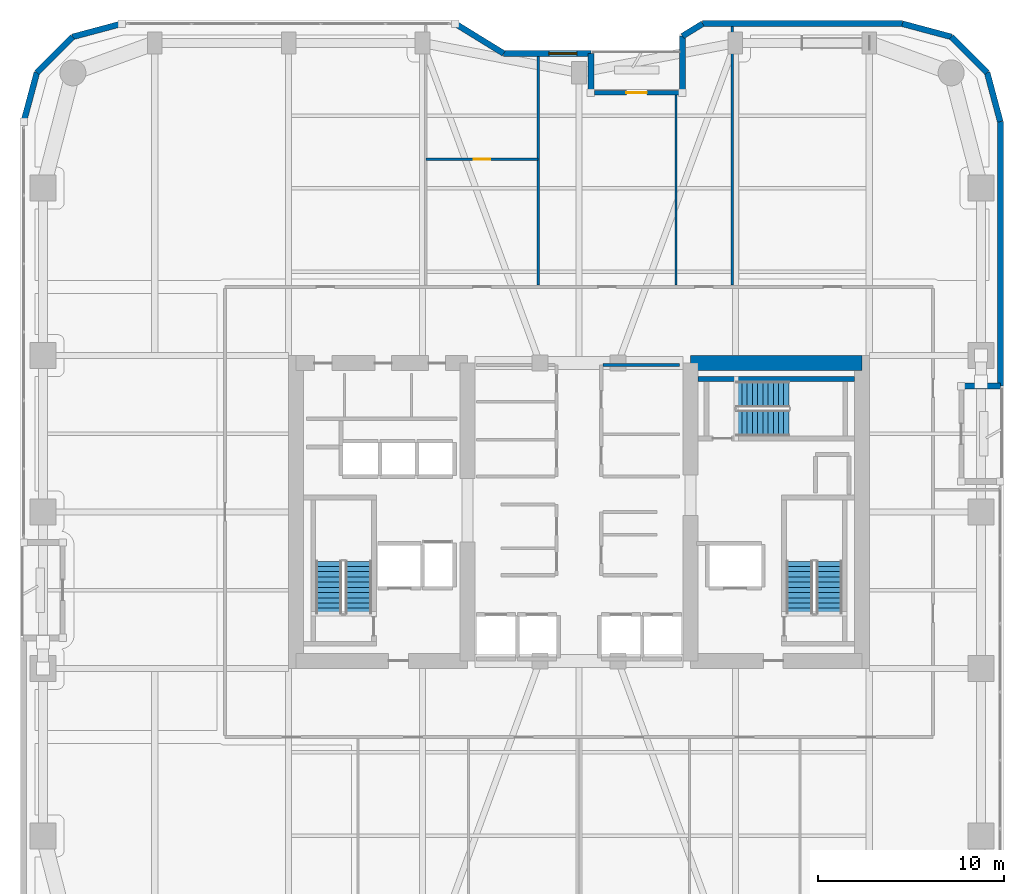
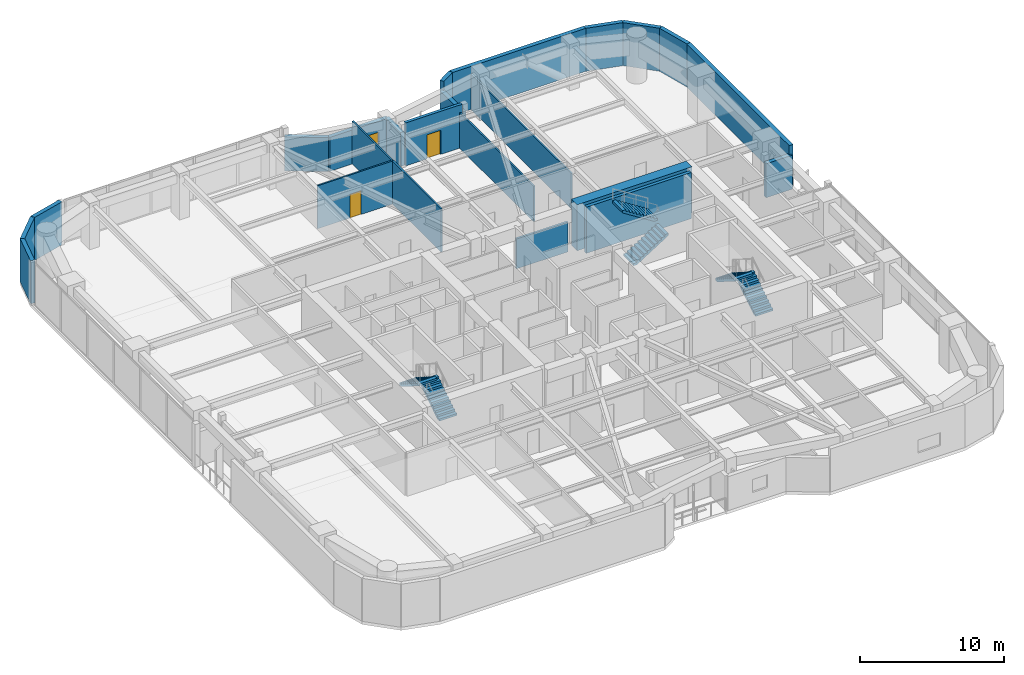
# One storey, part 21 of 24: 22 walls, 6 stair flights, 2 doors, 1 window, 3 openings, 3 elements without a shape of their own.
"""IFC4 building model written with IfcOpenShell, lengths in metres."""

from ifc_helpers import new_model, si_unit, direction, frame, frame_2d, origin, place, context, subcontext, project, spatial, polyline, rectangle, outline, extrude, material, layer, layer_set, type_object, element, fill, aggregate, save


model = new_model("IFC4")

# Units and contexts
model_context = context("Model", 3, precision=1e-05, world=origin(), true_north=direction((0.0, 1.0)))
body_context = subcontext(model_context, "Body", "Model", "MODEL_VIEW")
ifc_project = project(units=[si_unit("LENGTHUNIT", "METRE"), si_unit("AREAUNIT", "SQUARE_METRE"), si_unit("VOLUMEUNIT", "CUBIC_METRE"), si_unit("PLANEANGLEUNIT", "RADIAN"), si_unit("MASSUNIT", "GRAM", prefix="KILO")], contexts=[model_context])

# Site, building, storey
site_placement = place(None, origin())
site = spatial("IfcSite", under=ifc_project, at=site_placement, CompositionType="ELEMENT")
building_placement = place(site_placement, origin())
building = spatial("IfcBuilding", under=site, at=building_placement, Name="Kiyonajd Concourse Tower", CompositionType="ELEMENT")
storey_placement = place(building_placement, frame((0.0, 0.0, 105.300048828125)))
storey = spatial("IfcBuildingStorey", under=building, at=storey_placement, Name="L27", CompositionType="ELEMENT", Elevation=105.300048828125)

# Walls
ifc_material_1 = material(Name="Concrete C70/85", Category="concrete")
ifc_layer_1 = layer(ifc_material_1, 0.800048828125)
ifc_layer_set_1 = layer_set([ifc_layer_1], Name="Concrete C70/85")
wall_type_1 = type_object("IfcWallType", Name="WL-CORE-800", PredefinedType="SHEAR", material=ifc_layer_set_1)
wall_1_placement = place(storey_placement, frame((54.0, 44.0, 0.0), z_axis=(0.0, 0.0, 1.0), x_axis=(1.0, 0.0, 0.0)))
element("IfcWall", 1, at=wall_1_placement, inside=storey, type_object=wall_type_1, Name="L27 East Core North Shear Wall", PredefinedType="SHEAR", context=body_context, shape_type="SweptSolid", body=[
    extrude(rectangle(XDim=9.199951171875, YDim=0.800048828125, at=frame_2d((4.60009765625, 0.0))), origin(), (0.0, 0.0, 1.0), 3.89990234375),
])
ifc_material_2 = material(Name="Precast concrete C50/60", Category="concrete")
ifc_layer_2 = layer(ifc_material_2, 0.320068359375)
ifc_layer_set_2 = layer_set([ifc_layer_2], Name="Precast concrete C50/60")
wall_type_2 = type_object("IfcWallType", Name="WL-EXT-320", PredefinedType="SOLIDWALL", material=ifc_layer_set_2)
wall_2_placement = place(storey_placement, frame((18.159912109375, 56.97900390625, 0.0), z_axis=(0.0, 0.0, 1.0), x_axis=(0.25869736047, 0.965958423373, 0.0)))
element("IfcWall", 2, at=wall_2_placement, inside=storey, type_object=wall_type_2, Name="L27 Exterior Concrete Frame Wall 06", PredefinedType="SOLIDWALL", context=body_context, shape_type="SweptSolid", body=[
    extrude(rectangle(XDim=2.731201171875, YDim=0.320068359375, at=frame_2d((1.36572265625, 0.0))), origin(), (0.0, 0.0, 1.0), 3.639892578125),
])
wall_3_placement = place(storey_placement, frame((18.866455078125, 59.6171875, 0.0), z_axis=(0.0, 0.0, 1.0), x_axis=(0.707106781187, 0.707106781187, 0.0)))
element("IfcWall", 3, at=wall_3_placement, inside=storey, type_object=wall_type_2, Name="L27 Exterior Concrete Frame Wall 07", PredefinedType="SOLIDWALL", context=body_context, shape_type="SweptSolid", body=[
    extrude(rectangle(XDim=2.7099609375, YDim=0.320068359375, at=frame_2d((1.35498046875, 0.0))), origin(), (0.0, 0.0, 1.0), 3.639892578125),
])
wall_4_placement = place(storey_placement, frame((20.78271484375, 61.533447265625, 0.0), z_axis=(0.0, 0.0, 1.0), x_axis=(0.965964405026, 0.25867502435, 0.0)))
element("IfcWall", 4, at=wall_4_placement, inside=storey, type_object=wall_type_2, Name="L27 Exterior Concrete Frame Wall 08", PredefinedType="SOLIDWALL", context=body_context, shape_type="SweptSolid", body=[
    extrude(rectangle(XDim=2.7314453125, YDim=0.320068359375, at=frame_2d((1.36572265625, 0.0))), origin(), (0.0, 0.0, 1.0), 3.639892578125),
])
wall_5_placement = place(storey_placement, frame((41.354736328125, 62.239990234375, 0.0), z_axis=(0.0, 0.0, 1.0), x_axis=(0.851630857047, -0.524142044989, 0.0)))
element("IfcWall", 5, at=wall_5_placement, inside=storey, type_object=wall_type_2, Name="L27 Exterior Concrete Frame Wall 10", PredefinedType="SOLIDWALL", context=body_context, shape_type="SweptSolid", body=[
    extrude(rectangle(XDim=3.052734375, YDim=0.320068359375, at=frame_2d((1.5263671875, 0.0))), origin(), (0.0, 0.0, 1.0), 2.875),
])

# Wall, opening, window
wall_6_placement = place(storey_placement, frame((43.95458984375, 60.639892578125, 0.0), z_axis=(0.0, 0.0, 1.0), x_axis=(1.0, 0.0, 0.0)))
wall_6 = element("IfcWall", 6, at=wall_6_placement, inside=storey, type_object=wall_type_2, Name="L27 Exterior Concrete Frame Wall 11", PredefinedType="SOLIDWALL", context=body_context, shape_type="SweptSolid", body=[
    extrude(rectangle(XDim=4.685302734375, YDim=0.320068359375, at=frame_2d((2.3427734375, 0.0))), origin(), (0.0, 0.0, 1.0), 2.875),
])
opening_1_placement = place(wall_6_placement, frame((2.425048828125, 0.0, 0.85009765625)))
opening_1 = element("IfcOpeningElement", 7, at=opening_1_placement, cuts=wall_6, Name="Opening WN2", PredefinedType="OPENING", context=body_context, shape_type="SweptSolid", body=[
    extrude(rectangle(XDim=1.5, YDim=1.10009765625, at=frame_2d((0.75, 0.550048828125))), frame((0.0, 0.169921875, 0.0), z_axis=(0.0, -1.0, 0.0), x_axis=(1.0, 0.0, 0.0)), (0.0, 0.0, 1.0), 0.340087890625),
])
ifc_material_3 = material(Name="Double Low-E Insulated Glass", Category="glass")
window_type = type_object("IfcWindowType", Name="WN-VIS-1500x1100", PartitioningType="SINGLE_PANEL", PredefinedType="WINDOW", material=ifc_material_3)
window_placement = place(opening_1_placement, origin())
window = element("IfcWindow", 8, at=window_placement, inside=storey, type_object=window_type, Name="L27 Modular Facade Vision Window 11", OverallHeight=1.10009765625, OverallWidth=1.5, PartitioningType="SINGLE_PANEL", PredefinedType="WINDOW", context=body_context, shape_type="SweptSolid", body=[
    extrude(rectangle(XDim=1.5, YDim=1.10009765625, at=frame_2d((0.75, 0.550048828125))), frame((0.0, 0.030029296875, 0.0), z_axis=(0.0, -1.0, 0.0), x_axis=(1.0, 0.0, 0.0)), (0.0, 0.0, 1.0), 0.06005859375),
])
fill(opening_1, window)

# Walls
wall_7_placement = place(storey_placement, frame((48.639892578125, 60.639892578125, 0.0), z_axis=(0.0, 0.0, 1.0), x_axis=(0.0, -1.0, 0.0)))
element("IfcWall", 9, at=wall_7_placement, inside=storey, type_object=wall_type_2, Name="L27 Exterior Concrete Frame Wall 12", PredefinedType="SOLIDWALL", context=body_context, shape_type="SweptSolid", body=[
    extrude(rectangle(XDim=2.099853515625, YDim=0.320068359375, at=frame_2d((1.0498046875, 0.0))), origin(), (0.0, 0.0, 1.0), 2.875),
])
wall_8_placement = place(storey_placement, frame((53.56005859375, 58.5400390625, 0.0), z_axis=(0.0, 0.0, 1.0), x_axis=(0.0, 1.0, 0.0)))
element("IfcWall", 10, at=wall_8_placement, inside=storey, type_object=wall_type_2, Name="L27 Exterior Concrete Frame Wall 14", PredefinedType="SOLIDWALL", context=body_context, shape_type="SweptSolid", body=[
    extrude(rectangle(XDim=3.032470703125, YDim=0.320068359375, at=frame_2d((1.51611328125, 0.0))), origin(), (0.0, 0.0, 1.0), 2.875),
])
wall_9_placement = place(storey_placement, frame((53.56005859375, 61.572509765625, 0.0), z_axis=(0.0, 0.0, 1.0), x_axis=(0.851776724646, 0.523904964045, 0.0)))
element("IfcWall", 11, at=wall_9_placement, inside=storey, type_object=wall_type_2, Name="L27 Exterior Concrete Frame Wall 15", PredefinedType="SOLIDWALL", context=body_context, shape_type="SweptSolid", body=[
    extrude(rectangle(XDim=1.274169921875, YDim=0.320068359375, at=frame_2d((0.63720703125, 0.0))), origin(), (0.0, 0.0, 1.0), 3.639892578125),
])
wall_10_placement = place(storey_placement, frame((54.645263671875, 62.239990234375, 0.0), z_axis=(0.0, 0.0, 1.0), x_axis=(1.0, 0.0, 0.0)))
element("IfcWall", 12, at=wall_10_placement, inside=storey, type_object=wall_type_2, Name="L27 Exterior Concrete Frame Wall 16", PredefinedType="SOLIDWALL", context=body_context, shape_type="SweptSolid", body=[
    extrude(rectangle(XDim=10.733642578125, YDim=0.320068359375, at=frame_2d((5.36669921875, 0.0))), origin(), (0.0, 0.0, 1.0), 3.639892578125),
])
wall_11_placement = place(storey_placement, frame((65.37890625, 62.239990234375, 0.0), z_axis=(0.0, 0.0, 1.0), x_axis=(0.965958423373, -0.25869736047, 0.0)))
element("IfcWall", 13, at=wall_11_placement, inside=storey, type_object=wall_type_2, Name="L27 Exterior Concrete Frame Wall 17", PredefinedType="SOLIDWALL", context=body_context, shape_type="SweptSolid", body=[
    extrude(rectangle(XDim=2.731201171875, YDim=0.320068359375, at=frame_2d((1.36572265625, 0.0))), origin(), (0.0, 0.0, 1.0), 3.639892578125),
])
wall_12_placement = place(storey_placement, frame((68.01708984375, 61.533447265625, 0.0), z_axis=(0.0, 0.0, 1.0), x_axis=(0.707151821269, -0.707061738235, 0.0)))
element("IfcWall", 14, at=wall_12_placement, inside=storey, type_object=wall_type_2, Name="L27 Exterior Concrete Frame Wall 18", PredefinedType="SOLIDWALL", context=body_context, shape_type="SweptSolid", body=[
    extrude(rectangle(XDim=2.710205078125, YDim=0.320068359375, at=frame_2d((1.35498046875, 0.0))), origin(), (0.0, 0.0, 1.0), 3.639892578125),
])
wall_13_placement = place(storey_placement, frame((69.93359375, 59.6171875, 0.0), z_axis=(0.0, 0.0, 1.0), x_axis=(0.258613949072, -0.965980758269, 0.0)))
element("IfcWall", 15, at=wall_13_placement, inside=storey, type_object=wall_type_2, Name="L27 Exterior Concrete Frame Wall 19", PredefinedType="SOLIDWALL", context=body_context, shape_type="SweptSolid", body=[
    extrude(rectangle(XDim=2.731201171875, YDim=0.320068359375, at=frame_2d((1.36572265625, 0.0))), origin(), (0.0, 0.0, 1.0), 3.639892578125),
])
wall_14_placement = place(storey_placement, frame((70.639892578125, 56.97900390625, 0.0), z_axis=(0.0, 0.0, 1.0), x_axis=(0.0, -1.0, 0.0)))
element("IfcWall", 16, at=wall_14_placement, inside=storey, type_object=wall_type_2, Name="L27 Exterior Concrete Frame Wall 20", PredefinedType="SOLIDWALL", context=body_context, shape_type="SweptSolid", body=[
    extrude(rectangle(XDim=14.218994140625, YDim=0.320068359375, at=frame_2d((7.109375, 0.0))), origin(), (0.0, 0.0, 1.0), 3.639892578125),
])
wall_15_placement = place(storey_placement, frame((70.639892578125, 42.760009765625, 0.0), z_axis=(0.0, 0.0, 1.0), x_axis=(-1.0, 0.0, 0.0)))
element("IfcWall", 17, at=wall_15_placement, inside=storey, type_object=wall_type_2, Name="L27 Exterior Concrete Frame Wall 21", PredefinedType="SOLIDWALL", context=body_context, shape_type="SweptSolid", body=[
    extrude(rectangle(XDim=2.099853515625, YDim=0.320068359375, at=frame_2d((1.0498046875, 0.0))), origin(), (0.0, 0.0, 1.0), 2.875),
])

# Wall, opening, door
ifc_layer_3 = layer(ifc_material_2, 0.239990234375)
ifc_layer_set_3 = layer_set([ifc_layer_3], Name="Precast concrete C50/60")
wall_type_3 = type_object("IfcWallType", Name="WL-LOG-240", PredefinedType="SOLIDWALL", material=ifc_layer_set_3)
wall_16_placement = place(storey_placement, frame((48.8349609375, 58.5400390625, 0.0), z_axis=(0.0, 0.0, 1.0), x_axis=(1.0, 0.0, 0.0)))
wall_16 = element("IfcWall", 18, at=wall_16_placement, inside=storey, type_object=wall_type_3, Name="L27 Recessed Loggia Thermal Wall LOG-N", PredefinedType="SOLIDWALL", context=body_context, shape_type="SweptSolid", body=[
    extrude(rectangle(XDim=4.530029296875, YDim=0.239990234375, at=frame_2d((2.26513671875, 0.0))), origin(), (0.0, 0.0, 1.0), 3.639892578125),
])
opening_2_placement = place(wall_16_placement, frame((1.715087890625, 0.0, 0.0)))
opening_2 = element("IfcOpeningElement", 19, at=opening_2_placement, cuts=wall_16, Name="Opening DL2", PredefinedType="OPENING", context=body_context, shape_type="SweptSolid", body=[
    extrude(rectangle(XDim=1.10009765625, YDim=2.0400390625, at=frame_2d((0.550048828125, 1.02001953125))), frame((0.0, 0.1298828125, 0.0), z_axis=(0.0, -1.0, 0.0), x_axis=(1.0, 0.0, 0.0)), (0.0, 0.0, 1.0), 0.260009765625),
])
ifc_material_4 = material(Name="Thermally Broken Anodised Aluminium", Category="aluminium")
door_type_1 = type_object("IfcDoorType", Name="DR-LOG-1100", OperationType="NOTDEFINED", PredefinedType="DOOR", material=ifc_material_4)
door_1_placement = place(opening_2_placement, origin())
door_1 = element("IfcDoor", 20, at=door_1_placement, inside=storey, type_object=door_type_1, Name="L27 Engawa Loggia Access Door LOG-N", OperationType="SINGLE_SWING_RIGHT", OverallHeight=2.0400390625, OverallWidth=1.10009765625, PredefinedType="DOOR", context=body_context, shape_type="SweptSolid", body=[
    extrude(rectangle(XDim=1.10009765625, YDim=2.0400390625, at=frame_2d((0.550048828125, 1.02001953125))), frame((0.0, 0.02490234375, 0.0), z_axis=(0.0, -1.0, 0.0), x_axis=(1.0, 0.0, 0.0)), (0.0, 0.0, 1.0), 0.050048828125),
])
fill(opening_2, door_1)

ifc_material_5 = material(Name="Gypsum Board on Cold-Formed Steel Stud", Category="steel")
ifc_layer_4 = layer(ifc_material_5, 0.125)
ifc_layer_set_4 = layer_set([ifc_layer_4], Name="Gypsum Board on Cold-Formed Steel Stud")
wall_type_4 = type_object("IfcWallType", Name="WL-PART-125", PredefinedType="PARTITIONING", material=ifc_layer_set_4)
wall_17_placement = place(storey_placement, frame((39.77001953125, 54.9599609375, 0.0), z_axis=(0.0, 0.0, 1.0), x_axis=(1.0, 0.0, 0.0)))
wall_17 = element("IfcWall", 21, at=wall_17_placement, inside=storey, type_object=wall_type_4, Name="L27 Interior Partition Wall", PredefinedType="PARTITIONING", context=body_context, shape_type="SweptSolid", body=[
    extrude(rectangle(XDim=6.0400390625, YDim=0.125, at=frame_2d((3.02001953125, 0.0))), origin(), (0.0, 0.0, 1.0), 3.639892578125),
])
opening_3_placement = place(wall_17_placement, frame((2.570068359375, 0.0, 0.0)))
opening_3 = element("IfcOpeningElement", 22, at=opening_3_placement, cuts=wall_17, Name="Opening DI2", PredefinedType="OPENING", context=body_context, shape_type="SweptSolid", body=[
    extrude(rectangle(XDim=0.89990234375, YDim=2.02001953125, at=frame_2d((0.449951171875, 1.010009765625))), frame((0.0, 0.072509765625, 0.0), z_axis=(0.0, -1.0, 0.0), x_axis=(1.0, 0.0, 0.0)), (0.0, 0.0, 1.0), 0.14501953125),
])
ifc_material_6 = material(Name="Natural Oak Acoustic Timber Veneer", Category="wood")
door_type_2 = type_object("IfcDoorType", Name="DR-INT-900", OperationType="NOTDEFINED", PredefinedType="DOOR", material=ifc_material_6)
door_2_placement = place(opening_3_placement, origin())
door_2 = element("IfcDoor", 23, at=door_2_placement, inside=storey, type_object=door_type_2, Name="L27 Interior Door", OperationType="SINGLE_SWING_LEFT", OverallHeight=2.02001953125, OverallWidth=0.89990234375, PredefinedType="DOOR", context=body_context, shape_type="SweptSolid", body=[
    extrude(rectangle(XDim=0.89990234375, YDim=2.02001953125, at=frame_2d((0.449951171875, 1.010009765625))), frame((0.0, 0.02490234375, 0.0), z_axis=(0.0, -1.0, 0.0), x_axis=(1.0, 0.0, 0.0)), (0.0, 0.0, 1.0), 0.050048828125),
])
fill(opening_3, door_2)

# Walls
wall_18_placement = place(storey_placement, frame((45.81005859375, 48.18701171875, 0.0), z_axis=(0.0, 0.0, 1.0), x_axis=(0.0, 1.0, 0.0)))
element("IfcWall", 24, at=wall_18_placement, inside=storey, type_object=wall_type_4, Name="L27 Interior Partition Wall", PredefinedType="PARTITIONING", context=body_context, shape_type="SweptSolid", body=[
    extrude(rectangle(XDim=12.298095703125, YDim=0.125, at=frame_2d((6.14892578125, 0.0))), origin(), (0.0, 0.0, 1.0), 3.639892578125),
])
wall_19_placement = place(storey_placement, frame((53.2099609375, 48.18701171875, 0.0), z_axis=(0.0, 0.0, 1.0), x_axis=(0.0, 1.0, 0.0)))
element("IfcWall", 25, at=wall_19_placement, inside=storey, type_object=wall_type_4, Name="L27 Interior Partition Wall", PredefinedType="PARTITIONING", context=body_context, shape_type="SweptSolid", body=[
    extrude(rectangle(XDim=10.238037109375, YDim=0.125, at=frame_2d((5.119140625, 0.0))), origin(), (0.0, 0.0, 1.0), 3.0029296875),
])
wall_20_placement = place(storey_placement, frame((56.22998046875, 48.18701171875, 0.0), z_axis=(0.0, 0.0, 1.0), x_axis=(0.0, 1.0, 0.0)))
element("IfcWall", 26, at=wall_20_placement, inside=storey, type_object=wall_type_4, Name="L27 Interior Partition Wall", PredefinedType="PARTITIONING", context=body_context, shape_type="SweptSolid", body=[
    extrude(rectangle(XDim=13.89794921875, YDim=0.125, at=frame_2d((6.948974609375, 0.0))), origin(), (0.0, 0.0, 1.0), 3.0029296875),
])
ifc_layer_5 = layer(ifc_material_5, 0.169921875)
ifc_layer_set_5 = layer_set([ifc_layer_5], Name="Gypsum Board on Cold-Formed Steel Stud")
wall_type_5 = type_object("IfcWallType", Name="WL-SMK-170", PredefinedType="PARTITIONING", material=ifc_layer_set_5)
wall_21_placement = place(storey_placement, frame((49.287109375, 43.89990234375, 0.0), z_axis=(0.0, 0.0, 1.0), x_axis=(1.0, 0.0, 0.0)))
element("IfcWall", 27, at=wall_21_placement, inside=storey, type_object=wall_type_5, Name="L27 Interior Partition Wall", PredefinedType="PARTITIONING", context=body_context, shape_type="SweptSolid", body=[
    extrude(rectangle(XDim=4.11279296875, YDim=0.169921875, at=frame_2d((2.056396484375, 0.0))), origin(), (0.0, 0.0, 1.0), 2.52490234375),
])
ifc_material_7 = material(Name="Concrete C50/60", Category="concrete")
ifc_layer_6 = layer(ifc_material_7, 0.260009765625)
ifc_layer_set_6 = layer_set([ifc_layer_6], Name="Concrete C50/60")
wall_type_6 = type_object("IfcWallType", Name="WL-STAIR-260", PredefinedType="SHEAR", material=ifc_layer_set_6)
wall_22_placement = place(storey_placement, frame((54.39990234375, 43.14990234375, 0.0), z_axis=(0.0, 0.0, 1.0), x_axis=(1.0, 0.0, 0.0)))
element("IfcWall", 28, at=wall_22_placement, inside=storey, type_object=wall_type_6, Name="L27 Stair ST3 Structural North Wall", PredefinedType="SHEAR", context=body_context, shape_type="SweptSolid", body=[
    extrude(rectangle(XDim=8.400146484375, YDim=0.260009765625, at=frame_2d((4.2001953125, 0.0))), origin(), (0.0, 0.0, 1.0), 3.89990234375),
])

# Stair, stair flights
ifc_material_8 = material(Name="Concrete C40/50", Category="concrete")
stair_type = type_object("IfcStairType", Name="ST-DLG-22R", PredefinedType="HALF_TURN_STAIR", material=ifc_material_8)
stair_1_placement = place(storey_placement, origin())
stair_1 = element("IfcStair", 29, at=stair_1_placement, inside=storey, type_object=stair_type, Name="L27 Protected Exit Stair ST1", PredefinedType="HALF_TURN_STAIR")
stair_flight_type = type_object("IfcStairFlightType", Name="SF-STR-22R", PredefinedType="STRAIGHT", material=ifc_material_8)
stair_flight_1_placement = place(storey_placement, frame((36.14990234375, 30.550048828125, 0.0), z_axis=(0.0, 0.0, 1.0), x_axis=(0.0, 1.0, 0.0)))
stair_flight_1 = element("IfcStairFlight", 30, at=stair_flight_1_placement, type_object=stair_flight_type, Name="ST1 flight 1", NumberOfRisers=11, NumberOfTreads=10, PredefinedType="STRAIGHT", RiserHeight=0.177272727, TreadLength=0.28, context=body_context, shape_type="SweptSolid", body=[
    extrude(outline(polyline([(0.0, 0.0), (0.0, 0.17724609375), (0.280029296875, 0.17724609375), (0.280029296875, 0.3544921875), (0.56005859375, 0.3544921875), (0.56005859375, 0.53173828125), (0.840087890625, 0.53173828125), (0.840087890625, 0.708984375), (1.1201171875, 0.708984375), (1.1201171875, 0.886474609375), (1.39990234375, 0.886474609375), (1.39990234375, 1.063720703125), (1.679931640625, 1.063720703125), (1.679931640625, 1.240966796875), (1.9599609375, 1.240966796875), (1.9599609375, 1.418212890625), (2.239990234375, 1.418212890625), (2.239990234375, 1.595458984375), (2.52001953125, 1.595458984375), (2.52001953125, 1.772705078125), (2.800048828125, 1.772705078125), (2.800048828125, 1.949951171875), (2.800048828125, 1.59521484375), (0.2802734375, 0.0), (0.0, 0.0)])), frame((0.0, 0.699951171875, 0.0), z_axis=(0.0, -1.0, 0.0), x_axis=(1.0, 0.0, 0.0)), (0.0, 0.0, 1.0), 1.39990234375),
])
stair_flight_2_placement = place(storey_placement, frame((34.550048828125, 33.35009765625, 1.949951171875), z_axis=(0.0, 0.0, 1.0), x_axis=(0.0, -1.0, 0.0)))
stair_flight_2 = element("IfcStairFlight", 31, at=stair_flight_2_placement, type_object=stair_flight_type, Name="ST1 flight 2", NumberOfRisers=11, NumberOfTreads=10, PredefinedType="STRAIGHT", RiserHeight=0.177272727, TreadLength=0.28, context=body_context, shape_type="SweptSolid", body=[
    extrude(outline(polyline([(0.0, 0.0), (0.0, 0.17724609375), (0.280029296875, 0.17724609375), (0.280029296875, 0.3544921875), (0.56005859375, 0.3544921875), (0.56005859375, 0.53173828125), (0.840087890625, 0.53173828125), (0.840087890625, 0.708984375), (1.1201171875, 0.708984375), (1.1201171875, 0.886474609375), (1.39990234375, 0.886474609375), (1.39990234375, 1.063720703125), (1.679931640625, 1.063720703125), (1.679931640625, 1.240966796875), (1.9599609375, 1.240966796875), (1.9599609375, 1.418212890625), (2.239990234375, 1.418212890625), (2.239990234375, 1.595458984375), (2.52001953125, 1.595458984375), (2.52001953125, 1.772705078125), (2.800048828125, 1.772705078125), (2.800048828125, 1.949951171875), (2.800048828125, 1.59521484375), (0.2802734375, 0.0), (0.0, 0.0)])), frame((0.0, 0.699951171875, 0.0), z_axis=(0.0, -1.0, 0.0), x_axis=(1.0, 0.0, 0.0)), (0.0, 0.0, 1.0), 1.39990234375),
])
aggregate(stair_1, [stair_flight_1, stair_flight_2])

stair_2_placement = place(storey_placement, origin())
stair_2 = element("IfcStair", 32, at=stair_2_placement, inside=storey, type_object=stair_type, Name="L27 Protected Exit Stair ST2", PredefinedType="HALF_TURN_STAIR")
stair_flight_3_placement = place(storey_placement, frame((61.449951171875, 30.550048828125, 0.0), z_axis=(0.0, 0.0, 1.0), x_axis=(0.0, 1.0, 0.0)))
stair_flight_3 = element("IfcStairFlight", 33, at=stair_flight_3_placement, type_object=stair_flight_type, Name="ST2 flight 1", NumberOfRisers=11, NumberOfTreads=10, PredefinedType="STRAIGHT", RiserHeight=0.177272727, TreadLength=0.28, context=body_context, shape_type="SweptSolid", body=[
    extrude(outline(polyline([(0.0, 0.0), (0.0, 0.17724609375), (0.280029296875, 0.17724609375), (0.280029296875, 0.3544921875), (0.56005859375, 0.3544921875), (0.56005859375, 0.53173828125), (0.840087890625, 0.53173828125), (0.840087890625, 0.708984375), (1.1201171875, 0.708984375), (1.1201171875, 0.886474609375), (1.39990234375, 0.886474609375), (1.39990234375, 1.063720703125), (1.679931640625, 1.063720703125), (1.679931640625, 1.240966796875), (1.9599609375, 1.240966796875), (1.9599609375, 1.418212890625), (2.239990234375, 1.418212890625), (2.239990234375, 1.595458984375), (2.52001953125, 1.595458984375), (2.52001953125, 1.772705078125), (2.800048828125, 1.772705078125), (2.800048828125, 1.949951171875), (2.800048828125, 1.59521484375), (0.2802734375, 0.0), (0.0, 0.0)])), frame((0.0, 0.699951171875, 0.0), z_axis=(0.0, -1.0, 0.0), x_axis=(1.0, 0.0, 0.0)), (0.0, 0.0, 1.0), 1.39990234375),
])
stair_flight_4_placement = place(storey_placement, frame((59.85009765625, 33.35009765625, 1.949951171875), z_axis=(0.0, 0.0, 1.0), x_axis=(0.0, -1.0, 0.0)))
stair_flight_4 = element("IfcStairFlight", 34, at=stair_flight_4_placement, type_object=stair_flight_type, Name="ST2 flight 2", NumberOfRisers=11, NumberOfTreads=10, PredefinedType="STRAIGHT", RiserHeight=0.177272727, TreadLength=0.28, context=body_context, shape_type="SweptSolid", body=[
    extrude(outline(polyline([(0.0, 0.0), (0.0, 0.17724609375), (0.280029296875, 0.17724609375), (0.280029296875, 0.3544921875), (0.56005859375, 0.3544921875), (0.56005859375, 0.53173828125), (0.840087890625, 0.53173828125), (0.840087890625, 0.708984375), (1.1201171875, 0.708984375), (1.1201171875, 0.886474609375), (1.39990234375, 0.886474609375), (1.39990234375, 1.063720703125), (1.679931640625, 1.063720703125), (1.679931640625, 1.240966796875), (1.9599609375, 1.240966796875), (1.9599609375, 1.418212890625), (2.239990234375, 1.418212890625), (2.239990234375, 1.595458984375), (2.52001953125, 1.595458984375), (2.52001953125, 1.772705078125), (2.800048828125, 1.772705078125), (2.800048828125, 1.949951171875), (2.800048828125, 1.59521484375), (0.2802734375, 0.0), (0.0, 0.0)])), frame((0.0, 0.699951171875, 0.0), z_axis=(0.0, -1.0, 0.0), x_axis=(1.0, 0.0, 0.0)), (0.0, 0.0, 1.0), 1.39990234375),
])
aggregate(stair_2, [stair_flight_3, stair_flight_4])

stair_3_placement = place(storey_placement, origin())
stair_3 = element("IfcStair", 35, at=stair_3_placement, inside=storey, type_object=stair_type, Name="L27 Protected Exit Stair ST3", PredefinedType="HALF_TURN_STAIR")
stair_flight_5_placement = place(storey_placement, frame((56.47998046875, 40.780029296875, 0.0), z_axis=(0.0, 0.0, 1.0), x_axis=(1.0, 0.0, 0.0)))
stair_flight_5 = element("IfcStairFlight", 36, at=stair_flight_5_placement, type_object=stair_flight_type, Name="ST3 flight 1", NumberOfRisers=11, NumberOfTreads=10, PredefinedType="STRAIGHT", RiserHeight=0.177272727, TreadLength=0.28, context=body_context, shape_type="SweptSolid", body=[
    extrude(outline(polyline([(0.0, 0.0), (0.0, 0.17724609375), (0.280029296875, 0.17724609375), (0.280029296875, 0.3544921875), (0.56005859375, 0.3544921875), (0.56005859375, 0.53173828125), (0.840087890625, 0.53173828125), (0.840087890625, 0.708984375), (1.1201171875, 0.708984375), (1.1201171875, 0.886474609375), (1.39990234375, 0.886474609375), (1.39990234375, 1.063720703125), (1.679931640625, 1.063720703125), (1.679931640625, 1.240966796875), (1.9599609375, 1.240966796875), (1.9599609375, 1.418212890625), (2.239990234375, 1.418212890625), (2.239990234375, 1.595458984375), (2.52001953125, 1.595458984375), (2.52001953125, 1.772705078125), (2.800048828125, 1.772705078125), (2.800048828125, 1.949951171875), (2.800048828125, 1.59521484375), (0.2802734375, 0.0), (0.0, 0.0)])), frame((0.0, 0.699951171875, 0.0), z_axis=(0.0, -1.0, 0.0), x_axis=(1.0, 0.0, 0.0)), (0.0, 0.0, 1.0), 1.39990234375),
])
stair_flight_6_placement = place(storey_placement, frame((59.280029296875, 42.320068359375, 1.949951171875), z_axis=(0.0, 0.0, 1.0), x_axis=(-1.0, 0.0, 0.0)))
stair_flight_6 = element("IfcStairFlight", 37, at=stair_flight_6_placement, type_object=stair_flight_type, Name="ST3 flight 2", NumberOfRisers=11, NumberOfTreads=10, PredefinedType="STRAIGHT", RiserHeight=0.177272727, TreadLength=0.28, context=body_context, shape_type="SweptSolid", body=[
    extrude(outline(polyline([(0.0, 0.0), (0.0, 0.17724609375), (0.280029296875, 0.17724609375), (0.280029296875, 0.3544921875), (0.56005859375, 0.3544921875), (0.56005859375, 0.53173828125), (0.840087890625, 0.53173828125), (0.840087890625, 0.708984375), (1.1201171875, 0.708984375), (1.1201171875, 0.886474609375), (1.39990234375, 0.886474609375), (1.39990234375, 1.063720703125), (1.679931640625, 1.063720703125), (1.679931640625, 1.240966796875), (1.9599609375, 1.240966796875), (1.9599609375, 1.418212890625), (2.239990234375, 1.418212890625), (2.239990234375, 1.595458984375), (2.52001953125, 1.595458984375), (2.52001953125, 1.772705078125), (2.800048828125, 1.772705078125), (2.800048828125, 1.949951171875), (2.800048828125, 1.59521484375), (0.2802734375, 0.0), (0.0, 0.0)])), frame((0.0, 0.699951171875, 0.0), z_axis=(0.0, -1.0, 0.0), x_axis=(1.0, 0.0, 0.0)), (0.0, 0.0, 1.0), 1.39990234375),
])
aggregate(stair_3, [stair_flight_5, stair_flight_6])

save(model, "model.ifc")
